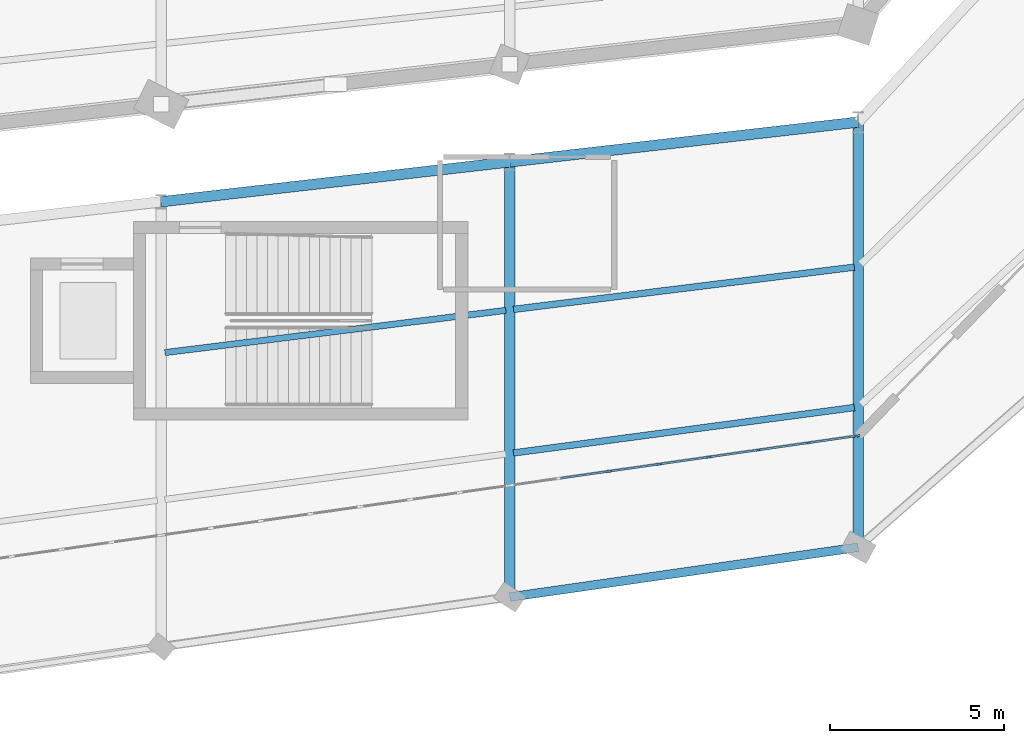
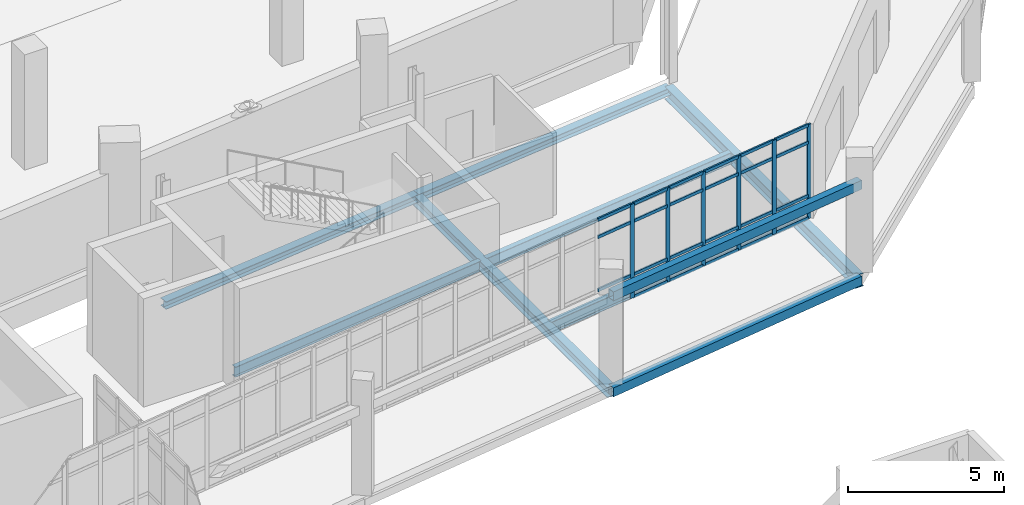
# One storey, part 66 of 122: 29 members, 9 beams, 1 element without a shape of its own.
"""IFC4 building model written with IfcOpenShell, lengths in metres."""

from ifc_helpers import new_model, si_unit, direction, frame, origin, origin_2d, place, context, subcontext, project, spatial, rectangle, hollow_rectangle, i_section, extrude, material, layer, layer_set, material_profile, profile_set, type_object, element, aggregate, save


model = new_model("IFC4")

# Units and contexts
model_context = context("Model", 3, precision=1e-05, world=origin(), true_north=direction((0.0, 1.0)))
body_context = subcontext(model_context, "Body", "Model", "MODEL_VIEW")
ifc_project = project(units=[si_unit("LENGTHUNIT", "METRE"), si_unit("AREAUNIT", "SQUARE_METRE"), si_unit("VOLUMEUNIT", "CUBIC_METRE"), si_unit("PLANEANGLEUNIT", "RADIAN"), si_unit("MASSUNIT", "GRAM", prefix="KILO")], contexts=[model_context])

# Site, building, storey
site_placement = place(None, origin())
site = spatial("IfcSite", under=ifc_project, at=site_placement, CompositionType="ELEMENT")
building_placement = place(site_placement, origin())
building = spatial("IfcBuilding", under=site, at=building_placement, Name="Sohan Crest Arena", CompositionType="ELEMENT")
storey_placement = place(building_placement, origin())
storey = spatial("IfcBuildingStorey", under=building, at=storey_placement, Name="L00", CompositionType="ELEMENT", Elevation=0.0)

# Curtain wall, members
ifc_material_1 = material(Name="Thermally broken anodised aluminium", Category="aluminium")
ifc_layer = layer(ifc_material_1, 0.179931640625, Name="Thermally broken anodised aluminium")
ifc_layer_set = layer_set([ifc_layer], Name="Thermally broken anodised aluminium")
curtain_wall_type = type_object("IfcCurtainWallType", Name="ARC-CW01", PredefinedType="NOTDEFINED", material=ifc_layer_set)
curtain_wall_placement = place(storey_placement, origin())
curtain_wall = element("IfcCurtainWall", 1, at=curtain_wall_placement, inside=storey, type_object=curtain_wall_type, Name="Unitised curtain wall CW-013", PredefinedType="NOTDEFINED")
ifc_material_profile_1 = material_profile(ifc_material_1, rectangle(XDim=0.06005859375, YDim=0.159912109375, at=origin_2d()), Name="ALU-MULL 60x160")
ifc_profile_set_1 = profile_set([ifc_material_profile_1], Name="Thermally broken anodised aluminium")
member_type_1 = type_object("IfcMemberType", Name="ARC-CW-ML01", PredefinedType="MULLION", material=ifc_profile_set_1)
member_1_placement = place(storey_placement, frame((160.857177734375, 42.17919921875, 0.0), z_axis=(0.0, 0.0, 1.0), x_axis=(-0.141462933734, 0.989943553128, 0.0)))
member_1 = element("IfcMember", 2, at=member_1_placement, type_object=member_type_1, Name="CW-013 mullion 3", PredefinedType="MULLION", context=body_context, shape_type="SweptSolid", body=[
    extrude(rectangle(XDim=0.06005859375, YDim=0.159912109375, at=origin_2d()), origin(), (0.0, 0.0, 1.0), 3.679931640625),
])
member_2_placement = place(storey_placement, frame((162.28564453125, 42.383544921875, 0.0), z_axis=(0.0, 0.0, 1.0), x_axis=(-0.141462933734, 0.989943553128, 0.0)))
member_2 = element("IfcMember", 3, at=member_2_placement, type_object=member_type_1, Name="CW-013 mullion 4", PredefinedType="MULLION", context=body_context, shape_type="SweptSolid", body=[
    extrude(rectangle(XDim=0.06005859375, YDim=0.159912109375, at=origin_2d()), origin(), (0.0, 0.0, 1.0), 3.679931640625),
])
member_3_placement = place(storey_placement, frame((163.71435546875, 42.587646484375, 0.0), z_axis=(0.0, 0.0, 1.0), x_axis=(-0.141462933734, 0.989943553128, 0.0)))
member_3 = element("IfcMember", 4, at=member_3_placement, type_object=member_type_1, Name="CW-013 mullion 5", PredefinedType="MULLION", context=body_context, shape_type="SweptSolid", body=[
    extrude(rectangle(XDim=0.06005859375, YDim=0.159912109375, at=origin_2d()), origin(), (0.0, 0.0, 1.0), 3.679931640625),
])
member_4_placement = place(storey_placement, frame((165.142822265625, 42.791748046875, 0.0), z_axis=(0.0, 0.0, 1.0), x_axis=(-0.141462933734, 0.989943553128, 0.0)))
member_4 = element("IfcMember", 5, at=member_4_placement, type_object=member_type_1, Name="CW-013 mullion 6", PredefinedType="MULLION", context=body_context, shape_type="SweptSolid", body=[
    extrude(rectangle(XDim=0.06005859375, YDim=0.159912109375, at=origin_2d()), origin(), (0.0, 0.0, 1.0), 3.679931640625),
])
member_5_placement = place(storey_placement, frame((166.571533203125, 42.995849609375, 0.0), z_axis=(0.0, 0.0, 1.0), x_axis=(-0.141462933734, 0.989943553128, 0.0)))
member_5 = element("IfcMember", 6, at=member_5_placement, type_object=member_type_1, Name="CW-013 mullion 7", PredefinedType="MULLION", context=body_context, shape_type="SweptSolid", body=[
    extrude(rectangle(XDim=0.06005859375, YDim=0.159912109375, at=origin_2d()), origin(), (0.0, 0.0, 1.0), 3.679931640625),
])
member_6_placement = place(storey_placement, frame((167.97021484375, 43.19580078125, 0.0), z_axis=(0.0, 0.0, 1.0), x_axis=(-0.141462933734, 0.989943553128, 0.0)))
member_6 = element("IfcMember", 7, at=member_6_placement, type_object=member_type_1, Name="CW-013 mullion 8", PredefinedType="MULLION", context=body_context, shape_type="SweptSolid", body=[
    extrude(rectangle(XDim=0.06005859375, YDim=0.159912109375, at=origin_2d()), origin(), (0.0, 0.0, 1.0), 3.679931640625),
])
ifc_material_profile_2 = material_profile(ifc_material_1, rectangle(XDim=0.06005859375, YDim=0.1201171875, at=origin_2d()), Name="ALU-TRAN 60x120")
ifc_profile_set_2 = profile_set([ifc_material_profile_2], Name="Thermally broken anodised aluminium")
member_type_2 = type_object("IfcMemberType", Name="ARC-CW-TR01", PredefinedType="USERDEFINED", material=ifc_profile_set_2)
member_7_placement = place(storey_placement, frame((159.458251953125, 41.9794921875, 0.89990234375), z_axis=(0.989953023856, 0.141396642673, 0.0), x_axis=(-0.141396642673, 0.989953023856, 0.0)))
member_7 = element("IfcMember", 8, at=member_7_placement, type_object=member_type_2, Name="CW-013 transom 2.2", ObjectType="TRANSOM", PredefinedType="USERDEFINED", context=body_context, shape_type="SweptSolid", body=[
    extrude(rectangle(XDim=0.06005859375, YDim=0.1201171875, at=origin_2d()), origin(), (0.0, 0.0, 1.0), 1.383056640625),
])
member_8_placement = place(storey_placement, frame((159.458251953125, 41.9794921875, 2.97998046875), z_axis=(0.989953023856, 0.141396642673, 0.0), x_axis=(-0.141396642673, 0.989953023856, 0.0)))
member_8 = element("IfcMember", 9, at=member_8_placement, type_object=member_type_2, Name="CW-013 transom 2.3", ObjectType="TRANSOM", PredefinedType="USERDEFINED", context=body_context, shape_type="SweptSolid", body=[
    extrude(rectangle(XDim=0.06005859375, YDim=0.1201171875, at=origin_2d()), origin(), (0.0, 0.0, 1.0), 1.383056640625),
])
member_9_placement = place(storey_placement, frame((159.458251953125, 41.9794921875, 3.64990234375), z_axis=(0.989953023856, 0.141396642673, 0.0), x_axis=(-0.141396642673, 0.989953023856, 0.0)))
member_9 = element("IfcMember", 10, at=member_9_placement, type_object=member_type_2, Name="CW-013 transom 2.4", ObjectType="TRANSOM", PredefinedType="USERDEFINED", context=body_context, shape_type="SweptSolid", body=[
    extrude(rectangle(XDim=0.06005859375, YDim=0.1201171875, at=origin_2d()), origin(), (0.0, 0.0, 1.0), 1.383056640625),
])
member_10_placement = place(storey_placement, frame((160.886962890625, 42.18359375, 0.030029296875), z_axis=(0.989953023856, 0.141396642673, 0.0), x_axis=(-0.141396642673, 0.989953023856, 0.0)))
member_10 = element("IfcMember", 11, at=member_10_placement, type_object=member_type_2, Name="CW-013 transom 3.1", ObjectType="TRANSOM", PredefinedType="USERDEFINED", context=body_context, shape_type="SweptSolid", body=[
    extrude(rectangle(XDim=0.06005859375, YDim=0.1201171875, at=origin_2d()), origin(), (0.0, 0.0, 1.0), 1.383056640625),
])
member_11_placement = place(storey_placement, frame((160.886962890625, 42.18359375, 0.89990234375), z_axis=(0.989953023856, 0.141396642673, 0.0), x_axis=(-0.141396642673, 0.989953023856, 0.0)))
member_11 = element("IfcMember", 12, at=member_11_placement, type_object=member_type_2, Name="CW-013 transom 3.2", ObjectType="TRANSOM", PredefinedType="USERDEFINED", context=body_context, shape_type="SweptSolid", body=[
    extrude(rectangle(XDim=0.06005859375, YDim=0.1201171875, at=origin_2d()), origin(), (0.0, 0.0, 1.0), 1.383056640625),
])
member_12_placement = place(storey_placement, frame((160.886962890625, 42.18359375, 2.97998046875), z_axis=(0.989953023856, 0.141396642673, 0.0), x_axis=(-0.141396642673, 0.989953023856, 0.0)))
member_12 = element("IfcMember", 13, at=member_12_placement, type_object=member_type_2, Name="CW-013 transom 3.3", ObjectType="TRANSOM", PredefinedType="USERDEFINED", context=body_context, shape_type="SweptSolid", body=[
    extrude(rectangle(XDim=0.06005859375, YDim=0.1201171875, at=origin_2d()), origin(), (0.0, 0.0, 1.0), 1.383056640625),
])
member_13_placement = place(storey_placement, frame((160.886962890625, 42.18359375, 3.64990234375), z_axis=(0.989953023856, 0.141396642673, 0.0), x_axis=(-0.141396642673, 0.989953023856, 0.0)))
member_13 = element("IfcMember", 14, at=member_13_placement, type_object=member_type_2, Name="CW-013 transom 3.4", ObjectType="TRANSOM", PredefinedType="USERDEFINED", context=body_context, shape_type="SweptSolid", body=[
    extrude(rectangle(XDim=0.06005859375, YDim=0.1201171875, at=origin_2d()), origin(), (0.0, 0.0, 1.0), 1.383056640625),
])
member_14_placement = place(storey_placement, frame((162.3154296875, 42.3876953125, 0.030029296875), z_axis=(0.989953023856, 0.141396642673, 0.0), x_axis=(-0.141396642673, 0.989953023856, 0.0)))
member_14 = element("IfcMember", 15, at=member_14_placement, type_object=member_type_2, Name="CW-013 transom 4.1", ObjectType="TRANSOM", PredefinedType="USERDEFINED", context=body_context, shape_type="SweptSolid", body=[
    extrude(rectangle(XDim=0.06005859375, YDim=0.1201171875, at=origin_2d()), origin(), (0.0, 0.0, 1.0), 1.383056640625),
])
member_15_placement = place(storey_placement, frame((162.3154296875, 42.3876953125, 0.89990234375), z_axis=(0.989953023856, 0.141396642673, 0.0), x_axis=(-0.141396642673, 0.989953023856, 0.0)))
member_15 = element("IfcMember", 16, at=member_15_placement, type_object=member_type_2, Name="CW-013 transom 4.2", ObjectType="TRANSOM", PredefinedType="USERDEFINED", context=body_context, shape_type="SweptSolid", body=[
    extrude(rectangle(XDim=0.06005859375, YDim=0.1201171875, at=origin_2d()), origin(), (0.0, 0.0, 1.0), 1.383056640625),
])
member_16_placement = place(storey_placement, frame((162.3154296875, 42.3876953125, 2.97998046875), z_axis=(0.989953023856, 0.141396642673, 0.0), x_axis=(-0.141396642673, 0.989953023856, 0.0)))
member_16 = element("IfcMember", 17, at=member_16_placement, type_object=member_type_2, Name="CW-013 transom 4.3", ObjectType="TRANSOM", PredefinedType="USERDEFINED", context=body_context, shape_type="SweptSolid", body=[
    extrude(rectangle(XDim=0.06005859375, YDim=0.1201171875, at=origin_2d()), origin(), (0.0, 0.0, 1.0), 1.383056640625),
])
member_17_placement = place(storey_placement, frame((162.3154296875, 42.3876953125, 3.64990234375), z_axis=(0.989953023856, 0.141396642673, 0.0), x_axis=(-0.141396642673, 0.989953023856, 0.0)))
member_17 = element("IfcMember", 18, at=member_17_placement, type_object=member_type_2, Name="CW-013 transom 4.4", ObjectType="TRANSOM", PredefinedType="USERDEFINED", context=body_context, shape_type="SweptSolid", body=[
    extrude(rectangle(XDim=0.06005859375, YDim=0.1201171875, at=origin_2d()), origin(), (0.0, 0.0, 1.0), 1.383056640625),
])
member_18_placement = place(storey_placement, frame((163.743896484375, 42.591796875, 0.030029296875), z_axis=(0.989953023856, 0.141396642673, 0.0), x_axis=(-0.141396642673, 0.989953023856, 0.0)))
member_18 = element("IfcMember", 19, at=member_18_placement, type_object=member_type_2, Name="CW-013 transom 5.1", ObjectType="TRANSOM", PredefinedType="USERDEFINED", context=body_context, shape_type="SweptSolid", body=[
    extrude(rectangle(XDim=0.06005859375, YDim=0.1201171875, at=origin_2d()), origin(), (0.0, 0.0, 1.0), 1.383056640625),
])
member_19_placement = place(storey_placement, frame((163.743896484375, 42.591796875, 0.89990234375), z_axis=(0.989953023856, 0.141396642673, 0.0), x_axis=(-0.141396642673, 0.989953023856, 0.0)))
member_19 = element("IfcMember", 20, at=member_19_placement, type_object=member_type_2, Name="CW-013 transom 5.2", ObjectType="TRANSOM", PredefinedType="USERDEFINED", context=body_context, shape_type="SweptSolid", body=[
    extrude(rectangle(XDim=0.06005859375, YDim=0.1201171875, at=origin_2d()), origin(), (0.0, 0.0, 1.0), 1.383056640625),
])
member_20_placement = place(storey_placement, frame((163.743896484375, 42.591796875, 2.97998046875), z_axis=(0.989953023856, 0.141396642673, 0.0), x_axis=(-0.141396642673, 0.989953023856, 0.0)))
member_20 = element("IfcMember", 21, at=member_20_placement, type_object=member_type_2, Name="CW-013 transom 5.3", ObjectType="TRANSOM", PredefinedType="USERDEFINED", context=body_context, shape_type="SweptSolid", body=[
    extrude(rectangle(XDim=0.06005859375, YDim=0.1201171875, at=origin_2d()), origin(), (0.0, 0.0, 1.0), 1.383056640625),
])
member_21_placement = place(storey_placement, frame((163.743896484375, 42.591796875, 3.64990234375), z_axis=(0.989953023856, 0.141396642673, 0.0), x_axis=(-0.141396642673, 0.989953023856, 0.0)))
member_21 = element("IfcMember", 22, at=member_21_placement, type_object=member_type_2, Name="CW-013 transom 5.4", ObjectType="TRANSOM", PredefinedType="USERDEFINED", context=body_context, shape_type="SweptSolid", body=[
    extrude(rectangle(XDim=0.06005859375, YDim=0.1201171875, at=origin_2d()), origin(), (0.0, 0.0, 1.0), 1.383056640625),
])
member_22_placement = place(storey_placement, frame((165.172607421875, 42.7958984375, 0.030029296875), z_axis=(0.989928300068, 0.141569632071, 0.0), x_axis=(-0.141569632071, 0.989928300068, 0.0)))
member_22 = element("IfcMember", 23, at=member_22_placement, type_object=member_type_2, Name="CW-013 transom 6.1", ObjectType="TRANSOM", PredefinedType="USERDEFINED", context=body_context, shape_type="SweptSolid", body=[
    extrude(rectangle(XDim=0.06005859375, YDim=0.1201171875, at=origin_2d()), origin(), (0.0, 0.0, 1.0), 1.383056640625),
])
member_23_placement = place(storey_placement, frame((165.172607421875, 42.7958984375, 0.89990234375), z_axis=(0.989928300068, 0.141569632071, 0.0), x_axis=(-0.141569632071, 0.989928300068, 0.0)))
member_23 = element("IfcMember", 24, at=member_23_placement, type_object=member_type_2, Name="CW-013 transom 6.2", ObjectType="TRANSOM", PredefinedType="USERDEFINED", context=body_context, shape_type="SweptSolid", body=[
    extrude(rectangle(XDim=0.06005859375, YDim=0.1201171875, at=origin_2d()), origin(), (0.0, 0.0, 1.0), 1.383056640625),
])
member_24_placement = place(storey_placement, frame((165.172607421875, 42.7958984375, 2.97998046875), z_axis=(0.989928300068, 0.141569632071, 0.0), x_axis=(-0.141569632071, 0.989928300068, 0.0)))
member_24 = element("IfcMember", 25, at=member_24_placement, type_object=member_type_2, Name="CW-013 transom 6.3", ObjectType="TRANSOM", PredefinedType="USERDEFINED", context=body_context, shape_type="SweptSolid", body=[
    extrude(rectangle(XDim=0.06005859375, YDim=0.1201171875, at=origin_2d()), origin(), (0.0, 0.0, 1.0), 1.383056640625),
])
member_25_placement = place(storey_placement, frame((165.172607421875, 42.7958984375, 3.64990234375), z_axis=(0.989928300068, 0.141569632071, 0.0), x_axis=(-0.141569632071, 0.989928300068, 0.0)))
member_25 = element("IfcMember", 26, at=member_25_placement, type_object=member_type_2, Name="CW-013 transom 6.4", ObjectType="TRANSOM", PredefinedType="USERDEFINED", context=body_context, shape_type="SweptSolid", body=[
    extrude(rectangle(XDim=0.06005859375, YDim=0.1201171875, at=origin_2d()), origin(), (0.0, 0.0, 1.0), 1.383056640625),
])
member_26_placement = place(storey_placement, frame((166.60107421875, 43.0, 0.030029296875), z_axis=(0.989945885007, 0.141446614515, 0.0), x_axis=(-0.141446614515, 0.989945885007, 0.0)))
member_26 = element("IfcMember", 27, at=member_26_placement, type_object=member_type_2, Name="CW-013 transom 7.1", ObjectType="TRANSOM", PredefinedType="USERDEFINED", context=body_context, shape_type="SweptSolid", body=[
    extrude(rectangle(XDim=0.06005859375, YDim=0.1201171875, at=origin_2d()), origin(), (0.0, 0.0, 1.0), 1.353271484375),
])
member_27_placement = place(storey_placement, frame((166.60107421875, 43.0, 0.89990234375), z_axis=(0.989945885007, 0.141446614515, 0.0), x_axis=(-0.141446614515, 0.989945885007, 0.0)))
member_27 = element("IfcMember", 28, at=member_27_placement, type_object=member_type_2, Name="CW-013 transom 7.2", ObjectType="TRANSOM", PredefinedType="USERDEFINED", context=body_context, shape_type="SweptSolid", body=[
    extrude(rectangle(XDim=0.06005859375, YDim=0.1201171875, at=origin_2d()), origin(), (0.0, 0.0, 1.0), 1.353271484375),
])
member_28_placement = place(storey_placement, frame((166.60107421875, 43.0, 2.97998046875), z_axis=(0.989945885007, 0.141446614515, 0.0), x_axis=(-0.141446614515, 0.989945885007, 0.0)))
member_28 = element("IfcMember", 29, at=member_28_placement, type_object=member_type_2, Name="CW-013 transom 7.3", ObjectType="TRANSOM", PredefinedType="USERDEFINED", context=body_context, shape_type="SweptSolid", body=[
    extrude(rectangle(XDim=0.06005859375, YDim=0.1201171875, at=origin_2d()), origin(), (0.0, 0.0, 1.0), 1.353271484375),
])
member_29_placement = place(storey_placement, frame((166.60107421875, 43.0, 3.64990234375), z_axis=(0.989945885007, 0.141446614515, 0.0), x_axis=(-0.141446614515, 0.989945885007, 0.0)))
member_29 = element("IfcMember", 30, at=member_29_placement, type_object=member_type_2, Name="CW-013 transom 7.4", ObjectType="TRANSOM", PredefinedType="USERDEFINED", context=body_context, shape_type="SweptSolid", body=[
    extrude(rectangle(XDim=0.06005859375, YDim=0.1201171875, at=origin_2d()), origin(), (0.0, 0.0, 1.0), 1.353271484375),
])
aggregate(curtain_wall, [member_1, member_2, member_3, member_4, member_5, member_6, member_7, member_8, member_9, member_10, member_11, member_12, member_13, member_14, member_15, member_16, member_17, member_18, member_19, member_20, member_21, member_22, member_23, member_24, member_25, member_26, member_27, member_28, member_29])

# Beams
ifc_material_2 = material(Name="Steel S355", Category="steel")
ifc_material_profile_3 = material_profile(ifc_material_2, i_section(OverallWidth=0.179931640625, OverallDepth=0.39990234375, WebThickness=0.008544921875, FlangeThickness=0.013427734375, at=origin_2d()), Name="IPE 400")
ifc_profile_set_3 = profile_set([ifc_material_profile_3], Name="Steel S355")
beam_type_1 = type_object("IfcBeamType", Name="STR-BM-B03", PredefinedType="JOIST", material=ifc_profile_set_3)
beam_1_placement = place(storey_placement, frame((148.10888671875, 45.5859375, -0.47509765625), z_axis=(0.992409914467, 0.122973825131, 0.0), x_axis=(-0.122973825131, 0.992409914467, 0.0)))
element("IfcBeam", 31, at=beam_1_placement, inside=storey, type_object=beam_type_1, Name="Structural beam J-L00-0994", PredefinedType="JOIST", context=body_context, shape_type="SweptSolid", body=[
    extrude(i_section(OverallWidth=0.179931640625, OverallDepth=0.39990234375, WebThickness=0.008544921875, FlangeThickness=0.013427734375, at=origin_2d()), origin(), (0.0, 0.0, 1.0), 9.85693359375),
])
ifc_material_profile_4 = material_profile(ifc_material_2, i_section(OverallWidth=0.18994140625, OverallDepth=0.449951171875, WebThickness=0.009521484375, FlangeThickness=0.0146484375, at=origin_2d()), Name="IPE 450")
ifc_profile_set_4 = profile_set([ifc_material_profile_4], Name="Steel S355")
beam_type_2 = type_object("IfcBeamType", Name="STR-BM-B04", PredefinedType="JOIST", material=ifc_profile_set_4)
beam_2_placement = place(storey_placement, frame((158.10888671875, 46.825927734375, -0.5), z_axis=(0.992409914467, 0.122973825131, 0.0), x_axis=(-0.122973825131, 0.992409914467, 0.0)))
element("IfcBeam", 32, at=beam_2_placement, inside=storey, type_object=beam_type_2, Name="Structural beam J-L00-1000", PredefinedType="JOIST", context=body_context, shape_type="SweptSolid", body=[
    extrude(i_section(OverallWidth=0.18994140625, OverallDepth=0.449951171875, WebThickness=0.009521484375, FlangeThickness=0.0146484375, at=origin_2d()), origin(), (0.0, 0.0, 1.0), 9.85693359375),
])
beam_3_placement = place(storey_placement, frame((158.10888671875, 42.7060546875, -0.5), z_axis=(0.991219472477, 0.132226916252, 0.0), x_axis=(-0.132226916252, 0.991219472477, 0.0)))
element("IfcBeam", 33, at=beam_3_placement, inside=storey, type_object=beam_type_2, Name="Structural beam J-L00-1001", PredefinedType="JOIST", context=body_context, shape_type="SweptSolid", body=[
    extrude(i_section(OverallWidth=0.18994140625, OverallDepth=0.449951171875, WebThickness=0.009521484375, FlangeThickness=0.0146484375, at=origin_2d()), origin(), (0.0, 0.0, 1.0), 9.868896484375),
])
ifc_material_profile_5 = material_profile(ifc_material_2, i_section(OverallWidth=0.300048828125, OverallDepth=0.300048828125, WebThickness=0.010986328125, FlangeThickness=0.01904296875, at=origin_2d()), Name="HEB 300")
ifc_profile_set_5 = profile_set([ifc_material_profile_5], Name="Steel S355")
beam_type_3 = type_object("IfcBeamType", Name="STR-BM-B12", PredefinedType="BEAM", material=ifc_profile_set_5)
for number, where, z_axis, x_axis, name in (
    (34, (148.0, 49.9140625, -0.425048828125), (0.993533063564, 0.113543170668, 0.0), (-0.113543170668, 0.993533063564, 0.0), "Structural beam G-L00-0991"),
    (35, (158.0, 51.056884765625, -0.425048828125), (0.99353032697, 0.113567114035, 0.0), (-0.113567114035, 0.99353032697, 0.0), "Structural beam G-L00-0997"),
):
    element("IfcBeam", number, at=place(storey_placement, frame(where, z_axis=z_axis, x_axis=x_axis)), inside=storey, type_object=beam_type_3, Name=name, PredefinedType="BEAM", context=body_context, shape_type="SweptSolid", body=[
        extrude(i_section(OverallWidth=0.300048828125, OverallDepth=0.300048828125, WebThickness=0.010986328125, FlangeThickness=0.01904296875, at=origin_2d()), origin(), (0.0, 0.0, 1.0), 10.065185546875),
    ])
ifc_material_profile_6 = material_profile(ifc_material_2, i_section(OverallWidth=0.300048828125, OverallDepth=0.39990234375, WebThickness=0.013427734375, FlangeThickness=0.02392578125, at=origin_2d()), Name="HEB 400")
ifc_profile_set_6 = profile_set([ifc_material_profile_6], Name="Steel S355")
beam_type_4 = type_object("IfcBeamType", Name="STR-BM-B13", PredefinedType="BEAM", material=ifc_profile_set_6)
beam_4_placement = place(storey_placement, frame((158.0, 51.056884765625, -0.47509765625), z_axis=(0.0, -1.0, 0.0), x_axis=(1.0, 0.0, 0.0)))
element("IfcBeam", 36, at=beam_4_placement, inside=storey, type_object=beam_type_4, Name="Structural beam G-L00-0996", PredefinedType="BEAM", context=body_context, shape_type="SweptSolid", body=[
    extrude(i_section(OverallWidth=0.300048828125, OverallDepth=0.39990234375, WebThickness=0.013427734375, FlangeThickness=0.02392578125, at=origin_2d()), origin(), (0.0, 0.0, 1.0), 12.48583984375),
])
ifc_material_profile_7 = material_profile(ifc_material_2, i_section(OverallWidth=0.300048828125, OverallDepth=0.5, WebThickness=0.014404296875, FlangeThickness=0.028076171875, at=origin_2d()), Name="HEB 500")
ifc_profile_set_7 = profile_set([ifc_material_profile_7], Name="Steel S355")
beam_type_5 = type_object("IfcBeamType", Name="STR-BM-B14", PredefinedType="BEAM", material=ifc_profile_set_7)
beam_5_placement = place(storey_placement, frame((168.0, 52.199951171875, -0.52490234375), z_axis=(0.0, -1.0, 0.0), x_axis=(1.0, 0.0, 0.0)))
element("IfcBeam", 37, at=beam_5_placement, inside=storey, type_object=beam_type_5, Name="Structural beam G-L00-1002", PredefinedType="BEAM", context=body_context, shape_type="SweptSolid", body=[
    extrude(i_section(OverallWidth=0.300048828125, OverallDepth=0.5, WebThickness=0.014404296875, FlangeThickness=0.028076171875, at=origin_2d()), origin(), (0.0, 0.0, 1.0), 12.199951171875),
])
ifc_material_profile_8 = material_profile(ifc_material_2, hollow_rectangle(XDim=0.25, YDim=0.35009765625, WallThickness=0.012451171875, at=origin_2d()), Name="RHS 350x250x12.5")
ifc_profile_set_8 = profile_set([ifc_material_profile_8], Name="Steel S355")
beam_type_6 = type_object("IfcBeamType", Name="STR-BM-SP04", PredefinedType="SPANDREL", material=ifc_profile_set_8)
for number, where, z_axis, x_axis, name in (
    (38, (158.0, 38.571044921875, -0.449951171875), (0.989944175879, 0.141458575718, 0.0), (-0.141458575718, 0.989944175879, 0.0), "Structural beam SP-L00-0998"),
    (39, (158.0, 38.571044921875, 3.300048828125), (0.989944175879, 0.141458575718, 0.0), (-0.141458575718, 0.989944175879, 0.0), "Structural beam ARC-L00-0999"),
):
    element("IfcBeam", number, at=place(storey_placement, frame(where, z_axis=z_axis, x_axis=x_axis)), inside=storey, type_object=beam_type_6, Name=name, PredefinedType="SPANDREL", context=body_context, shape_type="SweptSolid", body=[
        extrude(hollow_rectangle(XDim=0.25, YDim=0.35009765625, WallThickness=0.012451171875, at=origin_2d()), origin(), (0.0, 0.0, 1.0), 10.1015625),
    ])

save(model, "model.ifc")
